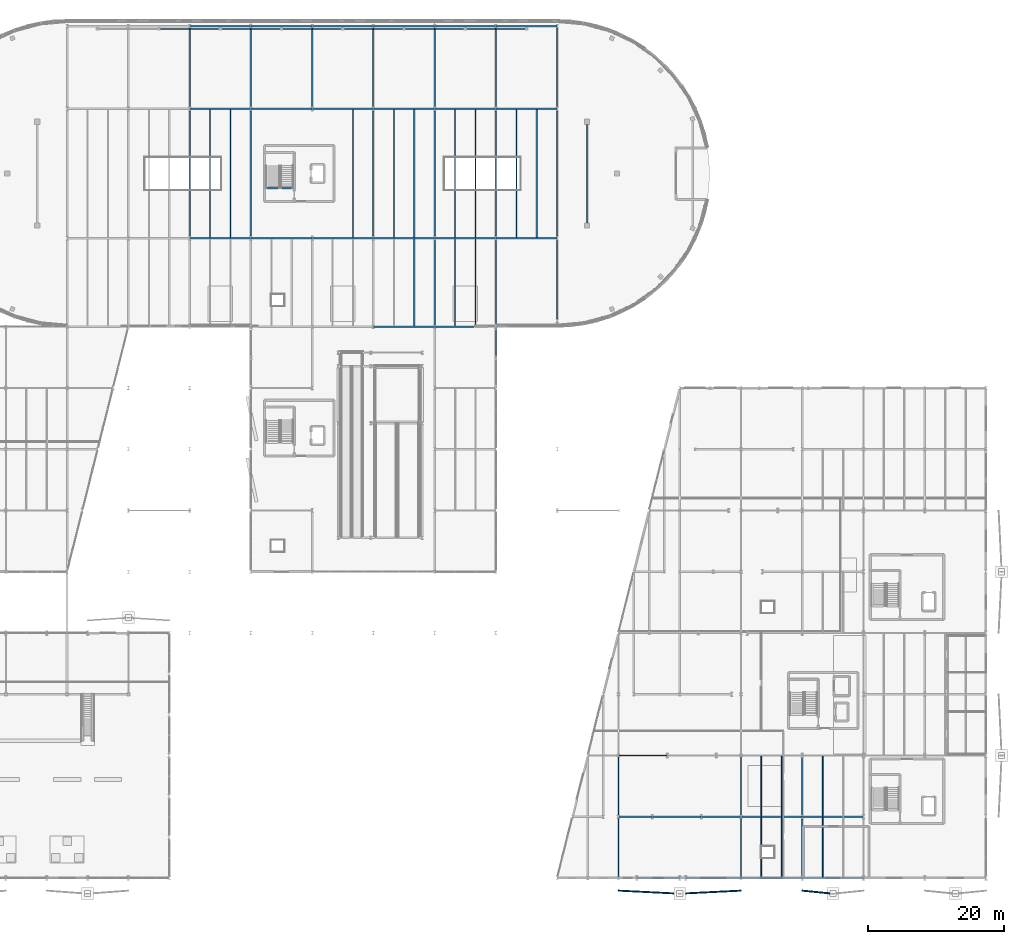
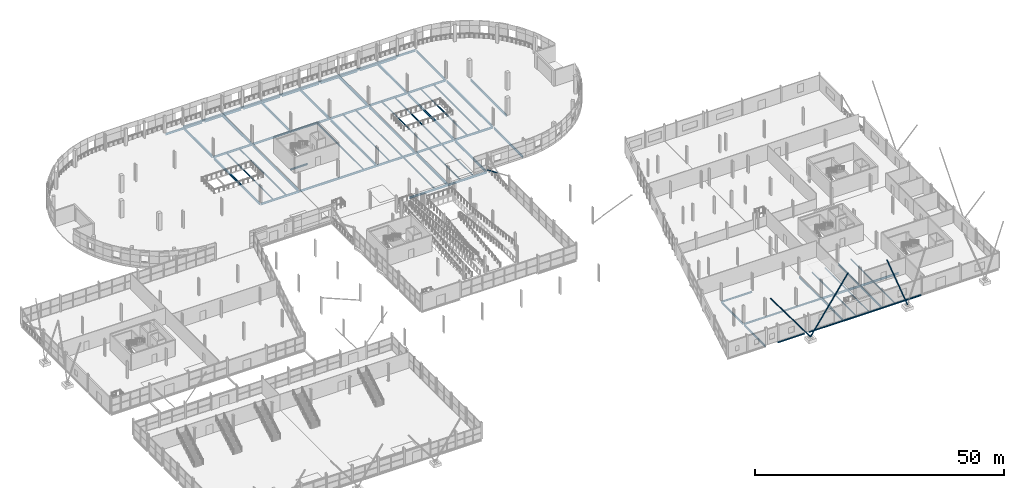
# One storey, part 85 of 140: 78 beams, 4 members.
"""IFC4 building model written with IfcOpenShell, lengths in metres."""

from ifc_helpers import new_model, si_unit, direction, frame, origin, origin_2d, place, context, subcontext, project, spatial, hollow_circle, i_section, extrude, material, material_profile, profile_set, type_object, element, save


model = new_model("IFC4")

# Units and contexts
model_context = context("Model", 3, precision=1e-05, world=origin(), true_north=direction((0.0, 1.0)))
body_context = subcontext(model_context, "Body", "Model", "MODEL_VIEW")
ifc_project = project(units=[si_unit("LENGTHUNIT", "METRE"), si_unit("AREAUNIT", "SQUARE_METRE"), si_unit("VOLUMEUNIT", "CUBIC_METRE"), si_unit("PLANEANGLEUNIT", "RADIAN"), si_unit("MASSUNIT", "GRAM", prefix="KILO")], contexts=[model_context])

# Site, building, storey
site_placement = place(None, origin())
site = spatial("IfcSite", under=ifc_project, at=site_placement, CompositionType="ELEMENT")
building_placement = place(site_placement, origin())
building = spatial("IfcBuilding", under=site, at=building_placement, Name="Deido Ridge Mobility Hub", CompositionType="ELEMENT")
storey_placement = place(building_placement, origin())
storey = spatial("IfcBuildingStorey", under=building, at=storey_placement, Name="L00", CompositionType="ELEMENT", Elevation=0.0)

# Beams
ifc_material_1 = material(Name="Steel S355J2 EN 10025-2", Category="steel")
ifc_material_profile_1 = material_profile(ifc_material_1, i_section(OverallWidth=0.300048828125, OverallDepth=0.330078125, WebThickness=0.009521484375, FlangeThickness=0.0166015625, FilletRadius=0.027099609375, at=origin_2d()), Name="HEA 340")
ifc_profile_set_1 = profile_set([ifc_material_profile_1], Name="Steel S355J2 EN 10025-2")
beam_type_1 = type_object("IfcBeamType", Name="BM-HEA340", PredefinedType="BEAM", material=ifc_profile_set_1)
beam_1_placement = place(storey_placement, frame((74.14990234375, 101.39990234375, -0.425048828125), z_axis=(1.0, 0.0, 0.0), x_axis=(0.0, 1.0, 0.0)))
element("IfcBeam", 1, at=beam_1_placement, inside=storey, type_object=beam_type_1, Name="C5 stair landing trimmer beam B6", PredefinedType="BEAM", context=body_context, shape_type="SweptSolid", body=[
    extrude(i_section(OverallWidth=0.300048828125, OverallDepth=0.330078125, WebThickness=0.009521484375, FlangeThickness=0.0166015625, FilletRadius=0.027099609375, at=origin_2d()), origin(), (0.0, 0.0, 1.0), 4.085205078125),
])
ifc_material_profile_2 = material_profile(ifc_material_1, i_section(OverallWidth=0.179931640625, OverallDepth=0.39990234375, WebThickness=0.008544921875, FlangeThickness=0.013427734375, FilletRadius=0.02099609375, at=origin_2d()), Name="IPE 400")
ifc_profile_set_2 = profile_set([ifc_material_profile_2], Name="Steel S355J2 EN 10025-2")
beam_type_2 = type_object("IfcBeamType", Name="BM-IPE400", PredefinedType="BEAM", material=ifc_profile_set_2)
beam_2_placement = place(storey_placement, frame((126.0087890625, 18.0, -0.4599609375), z_axis=(1.0, 0.0, 0.0), x_axis=(0.0, 1.0, 0.0)))
element("IfcBeam", 2, at=beam_2_placement, inside=storey, type_object=beam_type_2, Name="Floor beam B5", PredefinedType="BEAM", context=body_context, shape_type="SweptSolid", body=[
    extrude(i_section(OverallWidth=0.179931640625, OverallDepth=0.39990234375, WebThickness=0.008544921875, FlangeThickness=0.013427734375, FilletRadius=0.02099609375, at=origin_2d()), origin(), (0.0, 0.0, 1.0), 7.18359375),
])
beam_3_placement = place(storey_placement, frame((126.0087890625, 9.0, -0.4599609375), z_axis=(1.0, 0.0, 0.0), x_axis=(0.0, 1.0, 0.0)))
element("IfcBeam", 3, at=beam_3_placement, inside=storey, type_object=beam_type_2, Name="Floor beam B5", PredefinedType="BEAM", context=body_context, shape_type="SweptSolid", body=[
    extrude(i_section(OverallWidth=0.179931640625, OverallDepth=0.39990234375, WebThickness=0.008544921875, FlangeThickness=0.013427734375, FilletRadius=0.02099609375, at=origin_2d()), origin(), (0.0, 0.0, 1.0), 4.93359375),
])
beam_4_placement = place(storey_placement, frame((130.957763671875, 9.0, -0.4599609375), z_axis=(1.0, 0.0, 0.0), x_axis=(0.0, 1.0, 0.0)))
element("IfcBeam", 4, at=beam_4_placement, inside=storey, type_object=beam_type_2, Name="Floor beam B5", PredefinedType="BEAM", context=body_context, shape_type="SweptSolid", body=[
    extrude(i_section(OverallWidth=0.179931640625, OverallDepth=0.39990234375, WebThickness=0.008544921875, FlangeThickness=0.013427734375, FilletRadius=0.02099609375, at=origin_2d()), origin(), (0.0, 0.0, 1.0), 7.1845703125),
])
beam_5_placement = place(storey_placement, frame((138.15771484375, 9.0, -0.4599609375), z_axis=(1.0, 0.0, 0.0), x_axis=(0.0, 1.0, 0.0)))
element("IfcBeam", 5, at=beam_5_placement, inside=storey, type_object=beam_type_2, Name="Floor beam B5", PredefinedType="BEAM", context=body_context, shape_type="SweptSolid", body=[
    extrude(i_section(OverallWidth=0.179931640625, OverallDepth=0.39990234375, WebThickness=0.008544921875, FlangeThickness=0.013427734375, FilletRadius=0.02099609375, at=origin_2d()), origin(), (0.0, 0.0, 1.0), 5.83349609375),
])
ifc_material_profile_3 = material_profile(ifc_material_1, i_section(OverallWidth=0.18994140625, OverallDepth=0.449951171875, WebThickness=0.009521484375, FlangeThickness=0.0146484375, FilletRadius=0.02099609375, at=origin_2d()), Name="IPE 450")
ifc_profile_set_3 = profile_set([ifc_material_profile_3], Name="Steel S355J2 EN 10025-2")
beam_type_3 = type_object("IfcBeamType", Name="BM-IPE450", PredefinedType="BEAM", material=ifc_profile_set_3)
for number, where, z_axis, x_axis, name in (
    (6, (126.0, 0.196533203125, -0.485107421875), (0.0, 1.0, 0.0), (-1.0, 0.0, 0.0), "Floor beam B4"),
    (7, (126.0, 9.196533203125, -0.485107421875), (0.0, 1.0, 0.0), (-1.0, 0.0, 0.0), "Floor beam B4"),
    (8, (144.0, 0.196533203125, -0.485107421875), (0.0, 1.0, 0.0), (-1.0, 0.0, 0.0), "Floor beam B4"),
    (9, (144.0, 9.196533203125, -0.485107421875), (0.0, 1.0, 0.0), (-1.0, 0.0, 0.0), "Floor beam B4"),
):
    element("IfcBeam", number, at=place(storey_placement, frame(where, z_axis=z_axis, x_axis=x_axis)), inside=storey, type_object=beam_type_3, Name=name, PredefinedType="BEAM", context=body_context, shape_type="SweptSolid", body=[
        extrude(i_section(OverallWidth=0.18994140625, OverallDepth=0.449951171875, WebThickness=0.009521484375, FlangeThickness=0.0146484375, FilletRadius=0.02099609375, at=origin_2d()), origin(), (0.0, 0.0, 1.0), 8.60693359375),
    ])
for number, where, z_axis, x_axis, name in (
    (10, (153.0, 0.300048828125, -0.485107421875), (0.0, 1.0, 0.0), (-1.0, 0.0, 0.0), "Floor beam B4"),
    (11, (153.0, 9.300048828125, -0.485107421875), (0.0, 1.0, 0.0), (-1.0, 0.0, 0.0), "Floor beam B4"),
):
    element("IfcBeam", number, at=place(storey_placement, frame(where, z_axis=z_axis, x_axis=x_axis)), inside=storey, type_object=beam_type_3, Name=name, PredefinedType="BEAM", context=body_context, shape_type="SweptSolid", body=[
        extrude(i_section(OverallWidth=0.18994140625, OverallDepth=0.449951171875, WebThickness=0.009521484375, FlangeThickness=0.0146484375, FilletRadius=0.02099609375, at=origin_2d()), origin(), (0.0, 0.0, 1.0), 8.39990234375),
    ])
ifc_material_profile_4 = material_profile(ifc_material_1, i_section(OverallWidth=0.199951171875, OverallDepth=0.5, WebThickness=0.01025390625, FlangeThickness=0.01611328125, FilletRadius=0.02099609375, at=origin_2d()), Name="IPE 500")
ifc_profile_set_4 = profile_set([ifc_material_profile_4], Name="Steel S355J2 EN 10025-2")
beam_type_4 = type_object("IfcBeamType", Name="BM-IPE500", PredefinedType="BEAM", material=ifc_profile_set_4)
for number, where, z_axis, x_axis, name in (
    (12, (90.007080078125, 81.0, -0.510009765625), (1.0, 0.0, 0.0), (0.0, 1.0, 0.0), "Floor beam B3"),
    (13, (99.007080078125, 81.0, -0.510009765625), (1.0, 0.0, 0.0), (0.0, 1.0, 0.0), "Floor beam B3"),
):
    element("IfcBeam", number, at=place(storey_placement, frame(where, z_axis=z_axis, x_axis=x_axis)), inside=storey, type_object=beam_type_4, Name=name, PredefinedType="BEAM", context=body_context, shape_type="SweptSolid", body=[
        extrude(i_section(OverallWidth=0.199951171875, OverallDepth=0.5, WebThickness=0.01025390625, FlangeThickness=0.01611328125, FilletRadius=0.02099609375, at=origin_2d()), origin(), (0.0, 0.0, 1.0), 8.98583984375),
    ])
for number, where, z_axis, x_axis, name in (
    (14, (63.0078125, 94.0, -0.510009765625), (1.0, 0.0, 0.0), (0.0, 1.0, 0.0), "Floor beam B3"),
    (15, (72.0078125, 94.0, -0.510009765625), (1.0, 0.0, 0.0), (0.0, 1.0, 0.0), "Floor beam B3"),
    (16, (81.0078125, 94.0, -0.510009765625), (1.0, 0.0, 0.0), (0.0, 1.0, 0.0), "Floor beam B3"),
    (17, (90.0078125, 94.0, -0.510009765625), (1.0, 0.0, 0.0), (0.0, 1.0, 0.0), "Floor beam B3"),
    (18, (99.0078125, 94.0, -0.510009765625), (1.0, 0.0, 0.0), (0.0, 1.0, 0.0), "Floor beam B3"),
    (19, (108.0078125, 94.0, -0.510009765625), (1.0, 0.0, 0.0), (0.0, 1.0, 0.0), "Floor beam B3"),
    (20, (63.0078125, 113.0, -0.510009765625), (1.0, 0.0, 0.0), (0.0, 1.0, 0.0), "Floor beam B3"),
    (21, (72.0078125, 113.0, -0.510009765625), (1.0, 0.0, 0.0), (0.0, 1.0, 0.0), "Floor beam B3"),
    (22, (81.0078125, 113.0, -0.510009765625), (1.0, 0.0, 0.0), (0.0, 1.0, 0.0), "Floor beam B3"),
    (23, (90.0078125, 113.0, -0.510009765625), (1.0, 0.0, 0.0), (0.0, 1.0, 0.0), "Floor beam B3"),
    (24, (99.0078125, 113.0, -0.510009765625), (1.0, 0.0, 0.0), (0.0, 1.0, 0.0), "Floor beam B3"),
    (25, (108.0078125, 113.0, -0.510009765625), (1.0, 0.0, 0.0), (0.0, 1.0, 0.0), "Floor beam B3"),
):
    element("IfcBeam", number, at=place(storey_placement, frame(where, z_axis=z_axis, x_axis=x_axis)), inside=storey, type_object=beam_type_4, Name=name, PredefinedType="BEAM", context=body_context, shape_type="SweptSolid", body=[
        extrude(i_section(OverallWidth=0.199951171875, OverallDepth=0.5, WebThickness=0.01025390625, FlangeThickness=0.01611328125, FilletRadius=0.02099609375, at=origin_2d()), origin(), (0.0, 0.0, 1.0), 8.984375),
    ])
for number, where, z_axis, x_axis, name in (
    (26, (63.007080078125, 125.14990234375, -0.510009765625), (1.0, 0.0, 0.0), (0.0, 1.0, 0.0), "Floor beam B3"),
    (27, (72.007080078125, 125.14990234375, -0.510009765625), (1.0, 0.0, 0.0), (0.0, 1.0, 0.0), "Floor beam B3"),
    (28, (81.007080078125, 125.14990234375, -0.510009765625), (1.0, 0.0, 0.0), (0.0, 1.0, 0.0), "Floor beam B3"),
    (29, (90.007080078125, 125.14990234375, -0.510009765625), (1.0, 0.0, 0.0), (0.0, 1.0, 0.0), "Floor beam B3"),
    (30, (99.007080078125, 125.14990234375, -0.510009765625), (1.0, 0.0, 0.0), (0.0, 1.0, 0.0), "Floor beam B3"),
    (31, (108.007080078125, 125.14990234375, -0.510009765625), (1.0, 0.0, 0.0), (0.0, 1.0, 0.0), "Floor beam B3"),
):
    element("IfcBeam", number, at=place(storey_placement, frame(where, z_axis=z_axis, x_axis=x_axis)), inside=storey, type_object=beam_type_4, Name=name, PredefinedType="BEAM", context=body_context, shape_type="SweptSolid", body=[
        extrude(i_section(OverallWidth=0.199951171875, OverallDepth=0.5, WebThickness=0.01025390625, FlangeThickness=0.01611328125, FilletRadius=0.02099609375, at=origin_2d()), origin(), (0.0, 0.0, 1.0), 8.98583984375),
    ])
for number, where, z_axis, x_axis, name in (
    (32, (58.72509765625, 124.75, -0.510009765625), (1.0, 0.0, 0.0), (0.0, 1.0, 0.0), "Floor beam B3"),
    (33, (67.77490234375, 124.75, -0.510009765625), (1.0, 0.0, 0.0), (0.0, 1.0, 0.0), "Floor beam B3"),
    (34, (76.72509765625, 124.75, -0.510009765625), (1.0, 0.0, 0.0), (0.0, 1.0, 0.0), "Floor beam B3"),
    (35, (85.77490234375, 124.75, -0.510009765625), (1.0, 0.0, 0.0), (0.0, 1.0, 0.0), "Floor beam B3"),
    (36, (94.72509765625, 124.75, -0.510009765625), (1.0, 0.0, 0.0), (0.0, 1.0, 0.0), "Floor beam B3"),
    (37, (103.77490234375, 124.75, -0.510009765625), (1.0, 0.0, 0.0), (0.0, 1.0, 0.0), "Floor beam B3"),
):
    element("IfcBeam", number, at=place(storey_placement, frame(where, z_axis=z_axis, x_axis=x_axis)), inside=storey, type_object=beam_type_4, Name=name, PredefinedType="BEAM", context=body_context, shape_type="SweptSolid", body=[
        extrude(i_section(OverallWidth=0.199951171875, OverallDepth=0.5, WebThickness=0.01025390625, FlangeThickness=0.01611328125, FilletRadius=0.02099609375, at=origin_2d()), origin(), (0.0, 0.0, 1.0), 8.5),
    ])
beam_6_placement = place(storey_placement, frame((144.0087890625, 9.0, -0.510009765625), z_axis=(1.0, 0.0, 0.0), x_axis=(0.0, 1.0, 0.0)))
element("IfcBeam", 38, at=beam_6_placement, inside=storey, type_object=beam_type_4, Name="Floor beam B3", PredefinedType="BEAM", context=body_context, shape_type="SweptSolid", body=[
    extrude(i_section(OverallWidth=0.199951171875, OverallDepth=0.5, WebThickness=0.01025390625, FlangeThickness=0.01611328125, FilletRadius=0.02099609375, at=origin_2d()), origin(), (0.0, 0.0, 1.0), 8.9833984375),
])
beam_7_placement = place(storey_placement, frame((153.0078125, 9.0, -0.510009765625), z_axis=(1.0, 0.0, 0.0), x_axis=(0.0, 1.0, 0.0)))
element("IfcBeam", 39, at=beam_7_placement, inside=storey, type_object=beam_type_4, Name="Floor beam B3", PredefinedType="BEAM", context=body_context, shape_type="SweptSolid", body=[
    extrude(i_section(OverallWidth=0.199951171875, OverallDepth=0.5, WebThickness=0.01025390625, FlangeThickness=0.01611328125, FilletRadius=0.02099609375, at=origin_2d()), origin(), (0.0, 0.0, 1.0), 8.984375),
])
ifc_material_profile_5 = material_profile(ifc_material_1, i_section(OverallWidth=0.219970703125, OverallDepth=0.60009765625, WebThickness=0.011962890625, FlangeThickness=0.01904296875, FilletRadius=0.02392578125, at=origin_2d()), Name="IPE 600")
ifc_profile_set_5 = profile_set([ifc_material_profile_5], Name="Steel S355J2 EN 10025-2")
beam_type_5 = type_object("IfcBeamType", Name="BM-IPE600", PredefinedType="BEAM", material=ifc_profile_set_5)
beam_8_placement = place(storey_placement, frame((63.0, 94.300048828125, -0.56005859375), z_axis=(0.0, 1.0, 0.0), x_axis=(-1.0, 0.0, 0.0)))
element("IfcBeam", 40, at=beam_8_placement, inside=storey, type_object=beam_type_5, Name="Floor beam B1", PredefinedType="BEAM", context=body_context, shape_type="SweptSolid", body=[
    extrude(i_section(OverallWidth=0.219970703125, OverallDepth=0.60009765625, WebThickness=0.011962890625, FlangeThickness=0.01904296875, FilletRadius=0.02392578125, at=origin_2d()), origin(), (0.0, 0.0, 1.0), 18.39990234375),
])
beam_9_placement = place(storey_placement, frame((63.0, 113.300048828125, -0.56005859375), z_axis=(0.0, 1.0, 0.0), x_axis=(-1.0, 0.0, 0.0)))
element("IfcBeam", 41, at=beam_9_placement, inside=storey, type_object=beam_type_5, Name="Floor beam B1", PredefinedType="BEAM", context=body_context, shape_type="SweptSolid", body=[
    extrude(i_section(OverallWidth=0.219970703125, OverallDepth=0.60009765625, WebThickness=0.011962890625, FlangeThickness=0.01904296875, FilletRadius=0.02392578125, at=origin_2d()), origin(), (0.0, 0.0, 1.0), 11.599853515625),
])
beam_10_placement = place(storey_placement, frame((72.0, 94.300048828125, -0.56005859375), z_axis=(0.0, 1.0, 0.0), x_axis=(-1.0, 0.0, 0.0)))
element("IfcBeam", 42, at=beam_10_placement, inside=storey, type_object=beam_type_5, Name="Floor beam B1", PredefinedType="BEAM", context=body_context, shape_type="SweptSolid", body=[
    extrude(i_section(OverallWidth=0.219970703125, OverallDepth=0.60009765625, WebThickness=0.011962890625, FlangeThickness=0.01904296875, FilletRadius=0.02392578125, at=origin_2d()), origin(), (0.0, 0.0, 1.0), 18.39990234375),
])
for number, where, z_axis, x_axis, name in (
    (43, (72.0, 113.300048828125, -0.56005859375), (0.0, 1.0, 0.0), (-1.0, 0.0, 0.0), "Floor beam B1"),
    (44, (81.0, 113.300048828125, -0.56005859375), (0.0, 1.0, 0.0), (-1.0, 0.0, 0.0), "Floor beam B1"),
):
    element("IfcBeam", number, at=place(storey_placement, frame(where, z_axis=z_axis, x_axis=x_axis)), inside=storey, type_object=beam_type_5, Name=name, PredefinedType="BEAM", context=body_context, shape_type="SweptSolid", body=[
        extrude(i_section(OverallWidth=0.219970703125, OverallDepth=0.60009765625, WebThickness=0.011962890625, FlangeThickness=0.01904296875, FilletRadius=0.02392578125, at=origin_2d()), origin(), (0.0, 0.0, 1.0), 11.599853515625),
    ])
beam_11_placement = place(storey_placement, frame((90.0, 94.300048828125, -0.56005859375), z_axis=(0.0, 1.0, 0.0), x_axis=(-1.0, 0.0, 0.0)))
element("IfcBeam", 45, at=beam_11_placement, inside=storey, type_object=beam_type_5, Name="Floor beam B1", PredefinedType="BEAM", context=body_context, shape_type="SweptSolid", body=[
    extrude(i_section(OverallWidth=0.219970703125, OverallDepth=0.60009765625, WebThickness=0.011962890625, FlangeThickness=0.01904296875, FilletRadius=0.02392578125, at=origin_2d()), origin(), (0.0, 0.0, 1.0), 18.39990234375),
])
beam_12_placement = place(storey_placement, frame((90.0, 113.300048828125, -0.56005859375), z_axis=(0.0, 1.0, 0.0), x_axis=(-1.0, 0.0, 0.0)))
element("IfcBeam", 46, at=beam_12_placement, inside=storey, type_object=beam_type_5, Name="Floor beam B1", PredefinedType="BEAM", context=body_context, shape_type="SweptSolid", body=[
    extrude(i_section(OverallWidth=0.219970703125, OverallDepth=0.60009765625, WebThickness=0.011962890625, FlangeThickness=0.01904296875, FilletRadius=0.02392578125, at=origin_2d()), origin(), (0.0, 0.0, 1.0), 11.599853515625),
])
beam_13_placement = place(storey_placement, frame((99.0, 81.25, -0.56005859375), z_axis=(0.0, 1.0, 0.0), x_axis=(-1.0, 0.0, 0.0)))
element("IfcBeam", 47, at=beam_13_placement, inside=storey, type_object=beam_type_5, Name="Floor beam B1", PredefinedType="BEAM", context=body_context, shape_type="SweptSolid", body=[
    extrude(i_section(OverallWidth=0.219970703125, OverallDepth=0.60009765625, WebThickness=0.011962890625, FlangeThickness=0.01904296875, FilletRadius=0.02392578125, at=origin_2d()), origin(), (0.0, 0.0, 1.0), 12.449951171875),
])
beam_14_placement = place(storey_placement, frame((99.0, 94.300048828125, -0.56005859375), z_axis=(0.0, 1.0, 0.0), x_axis=(-1.0, 0.0, 0.0)))
element("IfcBeam", 48, at=beam_14_placement, inside=storey, type_object=beam_type_5, Name="Floor beam B1", PredefinedType="BEAM", context=body_context, shape_type="SweptSolid", body=[
    extrude(i_section(OverallWidth=0.219970703125, OverallDepth=0.60009765625, WebThickness=0.011962890625, FlangeThickness=0.01904296875, FilletRadius=0.02392578125, at=origin_2d()), origin(), (0.0, 0.0, 1.0), 18.39990234375),
])
beam_15_placement = place(storey_placement, frame((99.0, 113.300048828125, -0.56005859375), z_axis=(0.0, 1.0, 0.0), x_axis=(-1.0, 0.0, 0.0)))
element("IfcBeam", 49, at=beam_15_placement, inside=storey, type_object=beam_type_5, Name="Floor beam B1", PredefinedType="BEAM", context=body_context, shape_type="SweptSolid", body=[
    extrude(i_section(OverallWidth=0.219970703125, OverallDepth=0.60009765625, WebThickness=0.011962890625, FlangeThickness=0.01904296875, FilletRadius=0.02392578125, at=origin_2d()), origin(), (0.0, 0.0, 1.0), 11.599853515625),
])
beam_16_placement = place(storey_placement, frame((108.0, 81.25, -0.56005859375), z_axis=(0.0, 1.0, 0.0), x_axis=(-1.0, 0.0, 0.0)))
element("IfcBeam", 50, at=beam_16_placement, inside=storey, type_object=beam_type_5, Name="Floor beam B1", PredefinedType="BEAM", context=body_context, shape_type="SweptSolid", body=[
    extrude(i_section(OverallWidth=0.219970703125, OverallDepth=0.60009765625, WebThickness=0.011962890625, FlangeThickness=0.01904296875, FilletRadius=0.02392578125, at=origin_2d()), origin(), (0.0, 0.0, 1.0), 12.449951171875),
])
beam_17_placement = place(storey_placement, frame((108.0, 94.300048828125, -0.56005859375), z_axis=(0.0, 1.0, 0.0), x_axis=(-1.0, 0.0, 0.0)))
element("IfcBeam", 51, at=beam_17_placement, inside=storey, type_object=beam_type_5, Name="Floor beam B1", PredefinedType="BEAM", context=body_context, shape_type="SweptSolid", body=[
    extrude(i_section(OverallWidth=0.219970703125, OverallDepth=0.60009765625, WebThickness=0.011962890625, FlangeThickness=0.01904296875, FilletRadius=0.02392578125, at=origin_2d()), origin(), (0.0, 0.0, 1.0), 18.39990234375),
])
for number, where, z_axis, x_axis, name in (
    (52, (108.0, 113.300048828125, -0.56005859375), (0.0, 1.0, 0.0), (-1.0, 0.0, 0.0), "Floor beam B1"),
    (53, (117.0, 82.10009765625, -0.56005859375), (0.0, 1.0, 0.0), (-1.0, 0.0, 0.0), "Floor beam B1"),
):
    element("IfcBeam", number, at=place(storey_placement, frame(where, z_axis=z_axis, x_axis=x_axis)), inside=storey, type_object=beam_type_5, Name=name, PredefinedType="BEAM", context=body_context, shape_type="SweptSolid", body=[
        extrude(i_section(OverallWidth=0.219970703125, OverallDepth=0.60009765625, WebThickness=0.011962890625, FlangeThickness=0.01904296875, FilletRadius=0.02392578125, at=origin_2d()), origin(), (0.0, 0.0, 1.0), 11.599853515625),
    ])
beam_18_placement = place(storey_placement, frame((117.0, 94.300048828125, -0.56005859375), z_axis=(0.0, 1.0, 0.0), x_axis=(-1.0, 0.0, 0.0)))
element("IfcBeam", 54, at=beam_18_placement, inside=storey, type_object=beam_type_5, Name="Floor beam B1", PredefinedType="BEAM", context=body_context, shape_type="SweptSolid", body=[
    extrude(i_section(OverallWidth=0.219970703125, OverallDepth=0.60009765625, WebThickness=0.011962890625, FlangeThickness=0.01904296875, FilletRadius=0.02392578125, at=origin_2d()), origin(), (0.0, 0.0, 1.0), 18.39990234375),
])
beam_19_placement = place(storey_placement, frame((117.0, 113.300048828125, -0.56005859375), z_axis=(0.0, 1.0, 0.0), x_axis=(-1.0, 0.0, 0.0)))
element("IfcBeam", 55, at=beam_19_placement, inside=storey, type_object=beam_type_5, Name="Floor beam B1", PredefinedType="BEAM", context=body_context, shape_type="SweptSolid", body=[
    extrude(i_section(OverallWidth=0.219970703125, OverallDepth=0.60009765625, WebThickness=0.011962890625, FlangeThickness=0.01904296875, FilletRadius=0.02392578125, at=origin_2d()), origin(), (0.0, 0.0, 1.0), 11.599853515625),
])
beam_20_placement = place(storey_placement, frame((121.39990234375, 96.2548828125, -0.56005859375), z_axis=(0.0, 1.0, 0.0), x_axis=(-1.0, 0.0, 0.0)))
element("IfcBeam", 56, at=beam_20_placement, inside=storey, type_object=beam_type_5, Name="Floor beam B1", PredefinedType="BEAM", context=body_context, shape_type="SweptSolid", body=[
    extrude(i_section(OverallWidth=0.219970703125, OverallDepth=0.60009765625, WebThickness=0.011962890625, FlangeThickness=0.01904296875, FilletRadius=0.02392578125, at=origin_2d()), origin(), (0.0, 0.0, 1.0), 14.490234375),
])
ifc_material_profile_6 = material_profile(ifc_material_1, i_section(OverallWidth=0.135009765625, OverallDepth=0.27001953125, WebThickness=0.006591796875, FlangeThickness=0.01025390625, FilletRadius=0.014892578125, at=origin_2d()), Name="IPE 270")
ifc_profile_set_6 = profile_set([ifc_material_profile_6], Name="Steel S355J2 EN 10025-2")
beam_type_6 = type_object("IfcBeamType", Name="JST-IPE270", PredefinedType="JOIST", material=ifc_profile_set_6)
beam_21_placement = place(storey_placement, frame((150.0, 0.14990234375, -0.39501953125), z_axis=(0.0, 1.0, 0.0), x_axis=(-1.0, 0.0, 0.0)))
element("IfcBeam", 57, at=beam_21_placement, inside=storey, type_object=beam_type_6, Name="Composite joist J4", PredefinedType="JOIST", context=body_context, shape_type="SweptSolid", body=[
    extrude(i_section(OverallWidth=0.135009765625, OverallDepth=0.27001953125, WebThickness=0.006591796875, FlangeThickness=0.01025390625, FilletRadius=0.014892578125, at=origin_2d()), origin(), (0.0, 0.0, 1.0), 8.75),
])
beam_22_placement = place(storey_placement, frame((150.0, 9.10009765625, -0.39501953125), z_axis=(0.0, 1.0, 0.0), x_axis=(-1.0, 0.0, 0.0)))
element("IfcBeam", 58, at=beam_22_placement, inside=storey, type_object=beam_type_6, Name="Composite joist J4", PredefinedType="JOIST", context=body_context, shape_type="SweptSolid", body=[
    extrude(i_section(OverallWidth=0.135009765625, OverallDepth=0.27001953125, WebThickness=0.006591796875, FlangeThickness=0.01025390625, FilletRadius=0.014892578125, at=origin_2d()), origin(), (0.0, 0.0, 1.0), 8.7998046875),
])
ifc_material_profile_7 = material_profile(ifc_material_1, i_section(OverallWidth=0.14990234375, OverallDepth=0.300048828125, WebThickness=0.007080078125, FlangeThickness=0.0107421875, FilletRadius=0.014892578125, at=origin_2d()), Name="IPE 300")
ifc_profile_set_7 = profile_set([ifc_material_profile_7], Name="Steel S355J2 EN 10025-2")
beam_type_7 = type_object("IfcBeamType", Name="JST-IPE300", PredefinedType="JOIST", material=ifc_profile_set_7)
for number, where, z_axis, x_axis, name in (
    (59, (147.0, 0.14990234375, -0.409912109375), (0.0, 1.0, 0.0), (-1.0, 0.0, 0.0), "Composite joist J3"),
    (60, (156.0, 0.14990234375, -0.409912109375), (0.0, 1.0, 0.0), (-1.0, 0.0, 0.0), "Composite joist J3"),
):
    element("IfcBeam", number, at=place(storey_placement, frame(where, z_axis=z_axis, x_axis=x_axis)), inside=storey, type_object=beam_type_7, Name=name, PredefinedType="JOIST", context=body_context, shape_type="SweptSolid", body=[
        extrude(i_section(OverallWidth=0.14990234375, OverallDepth=0.300048828125, WebThickness=0.007080078125, FlangeThickness=0.0107421875, FilletRadius=0.014892578125, at=origin_2d()), origin(), (0.0, 0.0, 1.0), 8.75),
    ])
for number, where, z_axis, x_axis, name in (
    (61, (147.0, 9.10009765625, -0.409912109375), (0.0, 1.0, 0.0), (-1.0, 0.0, 0.0), "Composite joist J3"),
    (62, (156.0, 9.10009765625, -0.409912109375), (0.0, 1.0, 0.0), (-1.0, 0.0, 0.0), "Composite joist J3"),
):
    element("IfcBeam", number, at=place(storey_placement, frame(where, z_axis=z_axis, x_axis=x_axis)), inside=storey, type_object=beam_type_7, Name=name, PredefinedType="JOIST", context=body_context, shape_type="SweptSolid", body=[
        extrude(i_section(OverallWidth=0.14990234375, OverallDepth=0.300048828125, WebThickness=0.007080078125, FlangeThickness=0.0107421875, FilletRadius=0.014892578125, at=origin_2d()), origin(), (0.0, 0.0, 1.0), 8.7998046875),
    ])
ifc_material_profile_8 = material_profile(ifc_material_1, i_section(OverallWidth=0.159912109375, OverallDepth=0.330078125, WebThickness=0.007568359375, FlangeThickness=0.011474609375, FilletRadius=0.01806640625, at=origin_2d()), Name="IPE 330")
ifc_profile_set_8 = profile_set([ifc_material_profile_8], Name="Steel S355J2 EN 10025-2")
beam_type_8 = type_object("IfcBeamType", Name="JST-IPE330", PredefinedType="JOIST", material=ifc_profile_set_8)
beam_23_placement = place(storey_placement, frame((102.0, 81.10009765625, -0.425048828125), z_axis=(0.0, 1.0, 0.0), x_axis=(-1.0, 0.0, 0.0)))
element("IfcBeam", 63, at=beam_23_placement, inside=storey, type_object=beam_type_8, Name="Composite joist J2", PredefinedType="JOIST", context=body_context, shape_type="SweptSolid", body=[
    extrude(i_section(OverallWidth=0.159912109375, OverallDepth=0.330078125, WebThickness=0.007568359375, FlangeThickness=0.011474609375, FilletRadius=0.01806640625, at=origin_2d()), origin(), (0.0, 0.0, 1.0), 12.7998046875),
])
for number, where, z_axis, x_axis, name in (
    (64, (66.0, 94.10009765625, -0.425048828125), (0.0, 1.0, 0.0), (-1.0, 0.0, 0.0), "Composite joist J2"),
    (65, (93.0, 94.10009765625, -0.425048828125), (0.0, 1.0, 0.0), (-1.0, 0.0, 0.0), "Composite joist J2"),
    (66, (102.0, 94.10009765625, -0.425048828125), (0.0, 1.0, 0.0), (-1.0, 0.0, 0.0), "Composite joist J2"),
    (67, (111.0, 94.10009765625, -0.425048828125), (0.0, 1.0, 0.0), (-1.0, 0.0, 0.0), "Composite joist J2"),
):
    element("IfcBeam", number, at=place(storey_placement, frame(where, z_axis=z_axis, x_axis=x_axis)), inside=storey, type_object=beam_type_8, Name=name, PredefinedType="JOIST", context=body_context, shape_type="SweptSolid", body=[
        extrude(i_section(OverallWidth=0.159912109375, OverallDepth=0.330078125, WebThickness=0.007568359375, FlangeThickness=0.011474609375, FilletRadius=0.01806640625, at=origin_2d()), origin(), (0.0, 0.0, 1.0), 18.7998046875),
    ])
ifc_material_profile_9 = material_profile(ifc_material_1, i_section(OverallWidth=0.169921875, OverallDepth=0.360107421875, WebThickness=0.008056640625, FlangeThickness=0.0126953125, FilletRadius=0.01806640625, at=origin_2d()), Name="IPE 360")
ifc_profile_set_9 = profile_set([ifc_material_profile_9], Name="Steel S355J2 EN 10025-2")
beam_type_9 = type_object("IfcBeamType", Name="JST-IPE360", PredefinedType="JOIST", material=ifc_profile_set_9)
for number, where, z_axis, x_axis, name in (
    (68, (96.0, 81.10009765625, -0.43994140625), (0.0, 1.0, 0.0), (-1.0, 0.0, 0.0), "Composite joist J1"),
    (69, (105.0, 81.10009765625, -0.43994140625), (0.0, 1.0, 0.0), (-1.0, 0.0, 0.0), "Composite joist J1"),
):
    element("IfcBeam", number, at=place(storey_placement, frame(where, z_axis=z_axis, x_axis=x_axis)), inside=storey, type_object=beam_type_9, Name=name, PredefinedType="JOIST", context=body_context, shape_type="SweptSolid", body=[
        extrude(i_section(OverallWidth=0.169921875, OverallDepth=0.360107421875, WebThickness=0.008056640625, FlangeThickness=0.0126953125, FilletRadius=0.01806640625, at=origin_2d()), origin(), (0.0, 0.0, 1.0), 12.7998046875),
    ])
for number, where, z_axis, x_axis, name in (
    (70, (69.0, 94.10009765625, -0.43994140625), (0.0, 1.0, 0.0), (-1.0, 0.0, 0.0), "Composite joist J1"),
    (71, (87.0, 94.10009765625, -0.43994140625), (0.0, 1.0, 0.0), (-1.0, 0.0, 0.0), "Composite joist J1"),
    (72, (96.0, 94.10009765625, -0.43994140625), (0.0, 1.0, 0.0), (-1.0, 0.0, 0.0), "Composite joist J1"),
    (73, (105.0, 94.10009765625, -0.43994140625), (0.0, 1.0, 0.0), (-1.0, 0.0, 0.0), "Composite joist J1"),
    (74, (114.0, 94.10009765625, -0.43994140625), (0.0, 1.0, 0.0), (-1.0, 0.0, 0.0), "Composite joist J1"),
):
    element("IfcBeam", number, at=place(storey_placement, frame(where, z_axis=z_axis, x_axis=x_axis)), inside=storey, type_object=beam_type_9, Name=name, PredefinedType="JOIST", context=body_context, shape_type="SweptSolid", body=[
        extrude(i_section(OverallWidth=0.169921875, OverallDepth=0.360107421875, WebThickness=0.008056640625, FlangeThickness=0.0126953125, FilletRadius=0.01806640625, at=origin_2d()), origin(), (0.0, 0.0, 1.0), 18.7998046875),
    ])

# Members
ifc_material_2 = material(Name="Steel S355J2H EN 10210-1", Category="steel")
ifc_material_profile_10 = material_profile(ifc_material_2, hollow_circle(Radius=0.136474609375, WallThickness=0.012451171875, at=origin_2d()), Name="CHS 273x12.5")
ifc_profile_set_10 = profile_set([ifc_material_profile_10], Name="Steel S355J2H EN 10210-1")
member_type = type_object("IfcMemberType", Name="MEM-BRC-CHS273", PredefinedType="BRACE", material=ifc_profile_set_10)
member_1_placement = place(storey_placement, frame((108.0, 80.699951171875, 0.179931640625), z_axis=(0.0, -0.917550833654, 0.397618495119), x_axis=(1.0, 0.0, 0.0)))
element("IfcMember", 75, at=member_1_placement, inside=storey, type_object=member_type, Name="Split X-brace diagonal segment BR1", PredefinedType="BRACE", context=body_context, shape_type="SweptSolid", body=[
    extrude(hollow_circle(Radius=0.136474609375, WallThickness=0.012451171875, at=origin_2d()), origin(), (0.0, 0.0, 1.0), 4.33740234375),
])
for number, where, z_axis, x_axis, name in (
    (76, (135.0, -2.300048828125, 0.1650390625), (-0.59072425745, 0.029533007988, 0.806332842627), (-0.049932211876, -0.998752609117, 0.0), "Deconstructivist exoskeleton raked V-strut BR1"),
    (77, (135.0, -2.300048828125, 0.1650390625), (0.59072425745, 0.029533007988, 0.806332842627), (-0.049932211876, 0.998752609117, 0.0), "Deconstructivist exoskeleton raked V-strut BR1"),
):
    element("IfcMember", number, at=place(storey_placement, frame(where, z_axis=z_axis, x_axis=x_axis)), inside=storey, type_object=member_type, Name=name, PredefinedType="BRACE", context=body_context, shape_type="SweptSolid", body=[
        extrude(hollow_circle(Radius=0.136474609375, WallThickness=0.012451171875, at=origin_2d()), origin(), (0.0, 0.0, 1.0), 15.235595703125),
    ])
member_2_placement = place(storey_placement, frame((157.5, -2.300048828125, 0.1650390625), z_axis=(-0.343750380348, 0.034371308104, 0.938431824476), x_axis=(-0.099493029059, -0.995038259148, 0.0)))
element("IfcMember", 78, at=member_2_placement, inside=storey, type_object=member_type, Name="Deconstructivist exoskeleton raked V-strut BR1", PredefinedType="BRACE", context=body_context, shape_type="SweptSolid", body=[
    extrude(hollow_circle(Radius=0.136474609375, WallThickness=0.012451171875, at=origin_2d()), origin(), (0.0, 0.0, 1.0), 13.0908203125),
])

# Beams
ifc_material_profile_11 = material_profile(ifc_material_1, i_section(OverallWidth=0.280029296875, OverallDepth=0.27001953125, WebThickness=0.008056640625, FlangeThickness=0.012939453125, FilletRadius=0.02392578125, at=origin_2d()), Name="HEA 280")
ifc_profile_set_11 = profile_set([ifc_material_profile_11], Name="Steel S355J2 EN 10025-2")
beam_type_10 = type_object("IfcBeamType", Name="SPD-HEA280", PredefinedType="SPANDREL", material=ifc_profile_set_11)
beam_24_placement = place(storey_placement, frame((128.707763671875, 0.0, -0.39501953125), z_axis=(1.0, 0.0, 0.0), x_axis=(0.0, 1.0, 0.0)))
element("IfcBeam", 79, at=beam_24_placement, inside=storey, type_object=beam_type_10, Name="Floor beam SP2", PredefinedType="SPANDREL", context=body_context, shape_type="SweptSolid", body=[
    extrude(i_section(OverallWidth=0.280029296875, OverallDepth=0.27001953125, WebThickness=0.008056640625, FlangeThickness=0.012939453125, FilletRadius=0.02392578125, at=origin_2d()), origin(), (0.0, 0.0, 1.0), 6.284423828125),
])
beam_25_placement = place(storey_placement, frame((135.90771484375, 0.0, -0.39501953125), z_axis=(1.0, 0.0, 0.0), x_axis=(0.0, 1.0, 0.0)))
element("IfcBeam", 80, at=beam_25_placement, inside=storey, type_object=beam_type_10, Name="Floor beam SP2", PredefinedType="SPANDREL", context=body_context, shape_type="SweptSolid", body=[
    extrude(i_section(OverallWidth=0.280029296875, OverallDepth=0.27001953125, WebThickness=0.008056640625, FlangeThickness=0.012939453125, FilletRadius=0.02392578125, at=origin_2d()), origin(), (0.0, 0.0, 1.0), 8.08349609375),
])
ifc_material_profile_12 = material_profile(ifc_material_1, i_section(OverallWidth=0.300048828125, OverallDepth=0.300048828125, WebThickness=0.010986328125, FlangeThickness=0.01904296875, FilletRadius=0.027099609375, at=origin_2d()), Name="HEB 300")
ifc_profile_set_12 = profile_set([ifc_material_profile_12], Name="Steel S355J2 EN 10025-2")
beam_type_11 = type_object("IfcBeamType", Name="SPD-HEB300", PredefinedType="SPANDREL", material=ifc_profile_set_12)
beam_26_placement = place(storey_placement, frame((144.0087890625, 0.0, -0.409912109375), z_axis=(1.0, 0.0, 0.0), x_axis=(0.0, 1.0, 0.0)))
element("IfcBeam", 81, at=beam_26_placement, inside=storey, type_object=beam_type_11, Name="Floor beam SP1", PredefinedType="SPANDREL", context=body_context, shape_type="SweptSolid", body=[
    extrude(i_section(OverallWidth=0.300048828125, OverallDepth=0.300048828125, WebThickness=0.010986328125, FlangeThickness=0.01904296875, FilletRadius=0.027099609375, at=origin_2d()), origin(), (0.0, 0.0, 1.0), 8.9833984375),
])
beam_27_placement = place(storey_placement, frame((153.0078125, 0.0, -0.409912109375), z_axis=(1.0, 0.0, 0.0), x_axis=(0.0, 1.0, 0.0)))
element("IfcBeam", 82, at=beam_27_placement, inside=storey, type_object=beam_type_11, Name="Floor beam SP1", PredefinedType="SPANDREL", context=body_context, shape_type="SweptSolid", body=[
    extrude(i_section(OverallWidth=0.300048828125, OverallDepth=0.300048828125, WebThickness=0.010986328125, FlangeThickness=0.01904296875, FilletRadius=0.027099609375, at=origin_2d()), origin(), (0.0, 0.0, 1.0), 8.984375),
])

save(model, "model.ifc")
